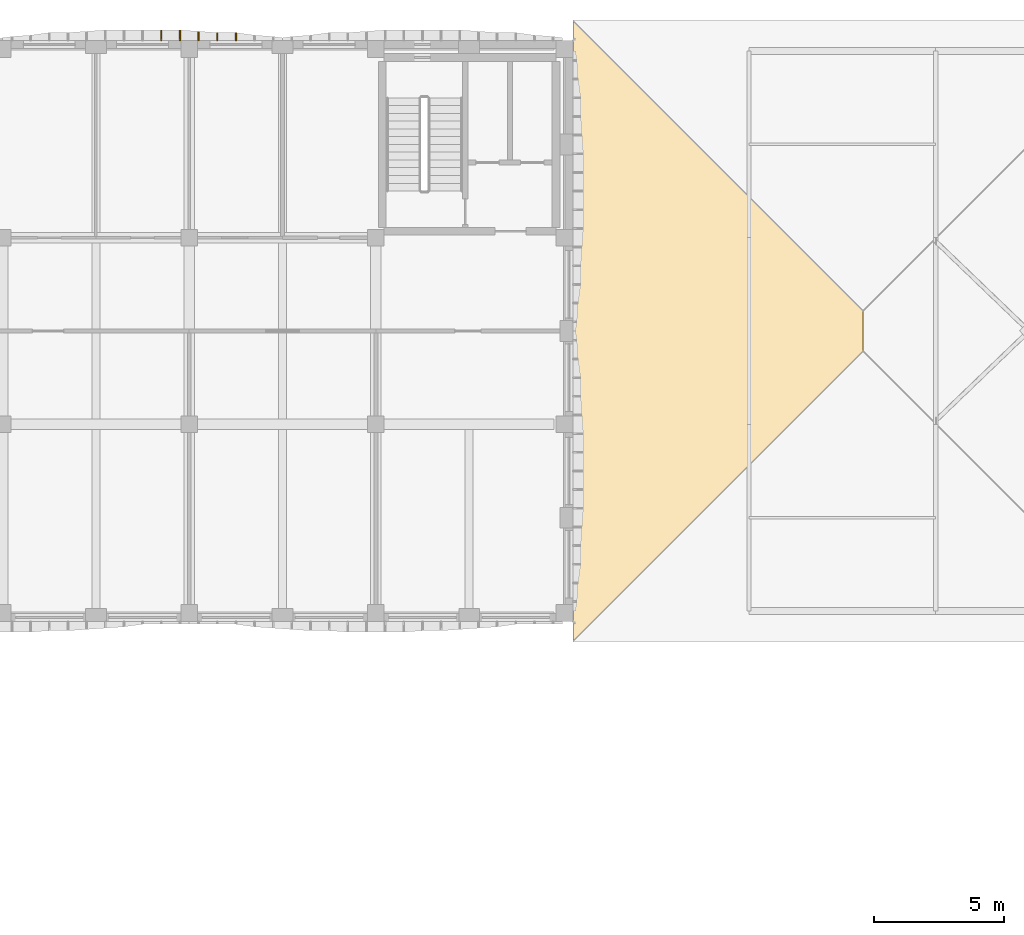
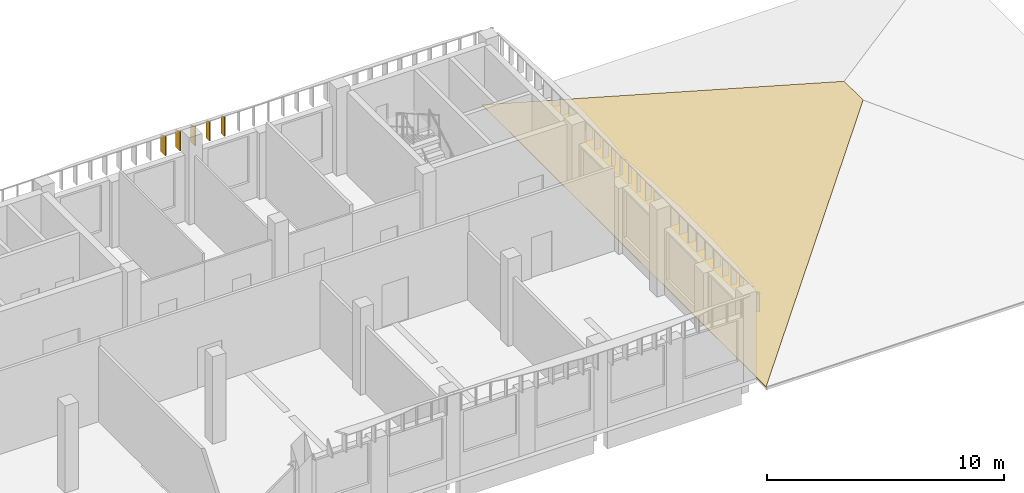
# One storey, part 48 of 54: 5 shading devices, 1 covering.
"""IFC4 building model written with IfcOpenShell, lengths in metres."""

from ifc_helpers import new_model, si_unit, direction, frame, origin, place, context, subcontext, project, spatial, polyline, outline, extrude, material, layer, layer_set, type_object, element, save


model = new_model("IFC4")

# Units and contexts
model_context = context("Model", 3, precision=1e-05, world=origin(), true_north=direction((0.0, 1.0)))
body_context = subcontext(model_context, "Body", "Model", "MODEL_VIEW")
ifc_project = project(units=[si_unit("LENGTHUNIT", "METRE"), si_unit("AREAUNIT", "SQUARE_METRE"), si_unit("VOLUMEUNIT", "CUBIC_METRE"), si_unit("PLANEANGLEUNIT", "RADIAN"), si_unit("MASSUNIT", "GRAM", prefix="KILO")], contexts=[model_context])

# Site, building, storey
site_placement = place(None, origin())
site = spatial("IfcSite", under=ifc_project, at=site_placement, CompositionType="ELEMENT")
building_placement = place(site_placement, origin())
building = spatial("IfcBuilding", under=site, at=building_placement, Name="Ussher Court Research Institute", CompositionType="ELEMENT")
storey_placement = place(building_placement, frame((0.0, 0.0, 14.39990234375)))
storey = spatial("IfcBuildingStorey", under=building, at=storey_placement, Name="L03", CompositionType="ELEMENT", Elevation=14.39990234375)

# Shading devices
ifc_material_1 = material(Name="Bronze anodised aluminium", Category="aluminium")
ifc_layer_1 = layer(ifc_material_1, 0.050048828125)
ifc_layer_set_1 = layer_set([ifc_layer_1], Name="Bronze anodised aluminium")
shading_device_type_1 = type_object("IfcShadingDeviceType", Name="Brim blade 300 mm deep 1000 mm high canted 20 deg dry", PredefinedType="USERDEFINED", material=ifc_layer_set_1)
for number, where, z_axis, x_axis, name in (
    (1, (68.8798828125, 90.800048828125, 3.4501953125), (0.0, 0.0, 1.0), (0.0, 1.0, 0.0), "Brim blade BS13 L03"),
    (2, (69.60009765625, 90.800048828125, 3.4501953125), (0.0, 0.0, 1.0), (0.0, 1.0, 0.0), "Brim blade BS13 L03"),
):
    element("IfcShadingDevice", number, at=place(storey_placement, frame(where, z_axis=z_axis, x_axis=x_axis)), inside=storey, type_object=shading_device_type_1, Name=name, ObjectType="BLADE", PredefinedType="USERDEFINED", context=body_context, shape_type="SweptSolid", body=[
        extrude(outline(polyline([(0.0, 0.0), (0.300048828125, 0.0), (0.300048828125, 0.890625), (0.0, 1.0), (0.0, 0.0)])), frame((0.0, 0.02490234375, 0.0), z_axis=(0.0, -1.0, 0.0), x_axis=(1.0, 0.0, 0.0)), (0.0, 0.0, 1.0), 0.050048828125),
    ])
ifc_material_2 = material(Name="Bronze anodised aluminium", Category="aluminium")
ifc_layer_2 = layer(ifc_material_2, 0.050048828125)
ifc_layer_set_2 = layer_set([ifc_layer_2], Name="Bronze anodised aluminium")
shading_device_type_2 = type_object("IfcShadingDeviceType", Name="Brim blade 350 mm deep 1000 mm high canted 20 deg dry", PredefinedType="USERDEFINED", material=ifc_layer_set_2)
shading_device_placement = place(storey_placement, frame((68.159912109375, 90.800048828125, 3.4501953125), z_axis=(0.0, 0.0, 1.0), x_axis=(0.0, 1.0, 0.0)))
element("IfcShadingDevice", 3, at=shading_device_placement, inside=storey, type_object=shading_device_type_2, Name="Brim blade BS12 L03", ObjectType="BLADE", PredefinedType="USERDEFINED", context=body_context, shape_type="SweptSolid", body=[
    extrude(outline(polyline([(0.0, 0.0), (0.349853515625, 0.0), (0.35009765625, 0.87255859375), (0.0, 1.0), (0.0, 0.0)])), frame((0.0, 0.02490234375, 0.0), z_axis=(0.0, -1.0, 0.0), x_axis=(1.0, 0.0, 0.0)), (0.0, 0.0, 1.0), 0.050048828125),
])
ifc_material_3 = material(Name="Bronze anodised aluminium", Category="aluminium")
ifc_layer_3 = layer(ifc_material_3, 0.050048828125)
ifc_layer_set_3 = layer_set([ifc_layer_3], Name="Bronze anodised aluminium")
shading_device_type_3 = type_object("IfcShadingDeviceType", Name="Brim blade 400 mm deep 1000 mm high canted 20 deg dry", PredefinedType="USERDEFINED", material=ifc_layer_set_3)
for number, where, z_axis, x_axis, name in (
    (4, (66.719970703125, 90.800048828125, 3.4501953125), (0.0, 0.0, 1.0), (0.0, 1.0, 0.0), "Brim blade BS11 L03"),
    (5, (67.43994140625, 90.800048828125, 3.4501953125), (0.0, 0.0, 1.0), (0.0, 1.0, 0.0), "Brim blade BS11 L03"),
):
    element("IfcShadingDevice", number, at=place(storey_placement, frame(where, z_axis=z_axis, x_axis=x_axis)), inside=storey, type_object=shading_device_type_3, Name=name, ObjectType="BLADE", PredefinedType="USERDEFINED", context=body_context, shape_type="SweptSolid", body=[
        extrude(outline(polyline([(0.0, 0.0), (0.39990234375, 0.0), (0.39990234375, 0.854248046875), (0.0, 1.0), (0.0, 0.0)])), frame((0.0, 0.02490234375, 0.0), z_axis=(0.0, -1.0, 0.0), x_axis=(1.0, 0.0, 0.0)), (0.0, 0.0, 1.0), 0.050048828125),
    ])

# Covering
ifc_material_4 = material(Name="Zinc standing seam")
ifc_layer_4 = layer(ifc_material_4, 0.0400390625)
ifc_layer_set_4 = layer_set([ifc_layer_4], Name="Zinc standing seam")
covering_type = type_object("IfcCoveringType", Name="Standing seam zinc covering 40", PredefinedType="ROOFING", material=ifc_layer_set_4)
covering_placement = place(storey_placement, frame((82.60009765625, 91.60009765625, 0.042724609375), z_axis=(-0.342017710593, 0.0, 0.939693506225), x_axis=(0.0, -1.0, 0.0)))
element("IfcCovering", 6, at=covering_placement, inside=storey, type_object=covering_type, Name="Roof covering RC1 V3", PredefinedType="ROOFING", context=body_context, shape_type="SweptSolid", body=[
    extrude(outline(polyline([(0.0, 0.0), (24.0, 0.0), (12.800048828125, 11.918727859332478), (11.2001953125, 11.918727859332478), (0.0, 0.0)])), origin(), (0.0, 0.0, -1.0), 0.0400390625),
])

save(model, "model.ifc")
